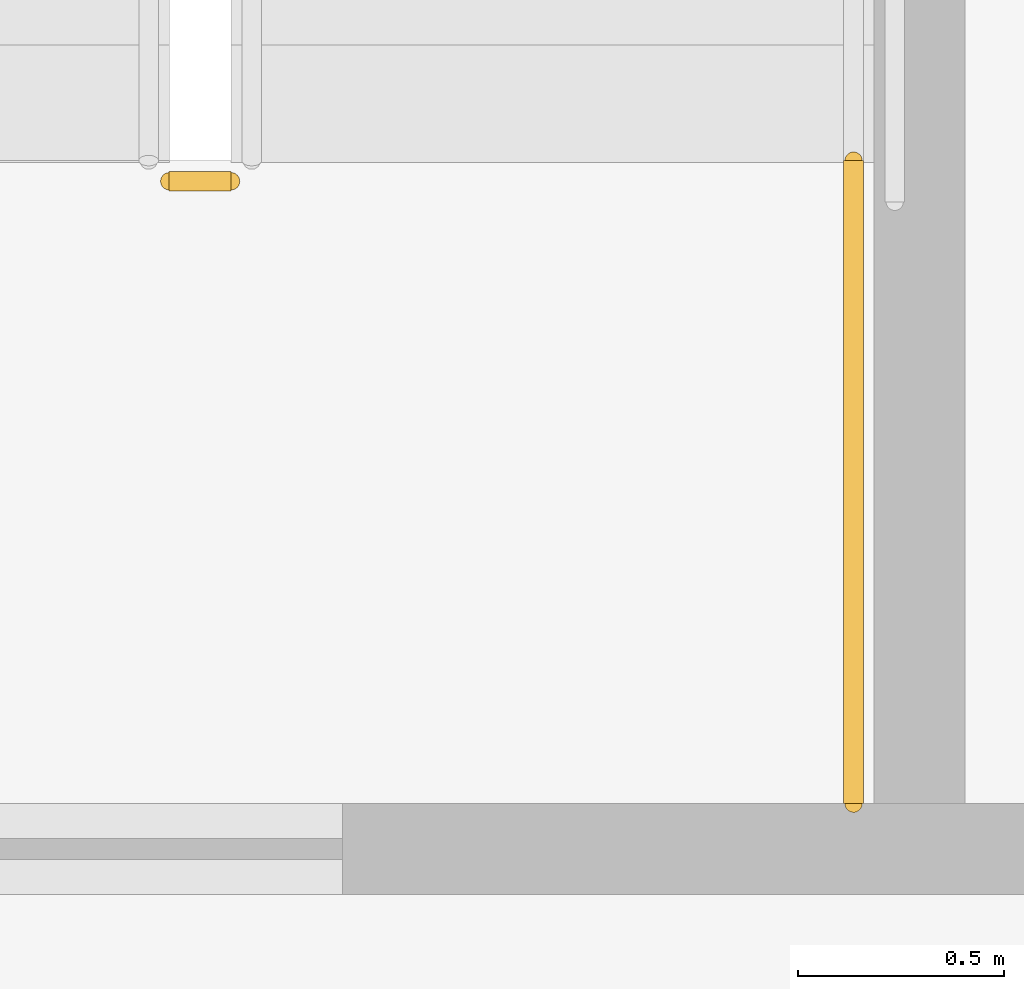
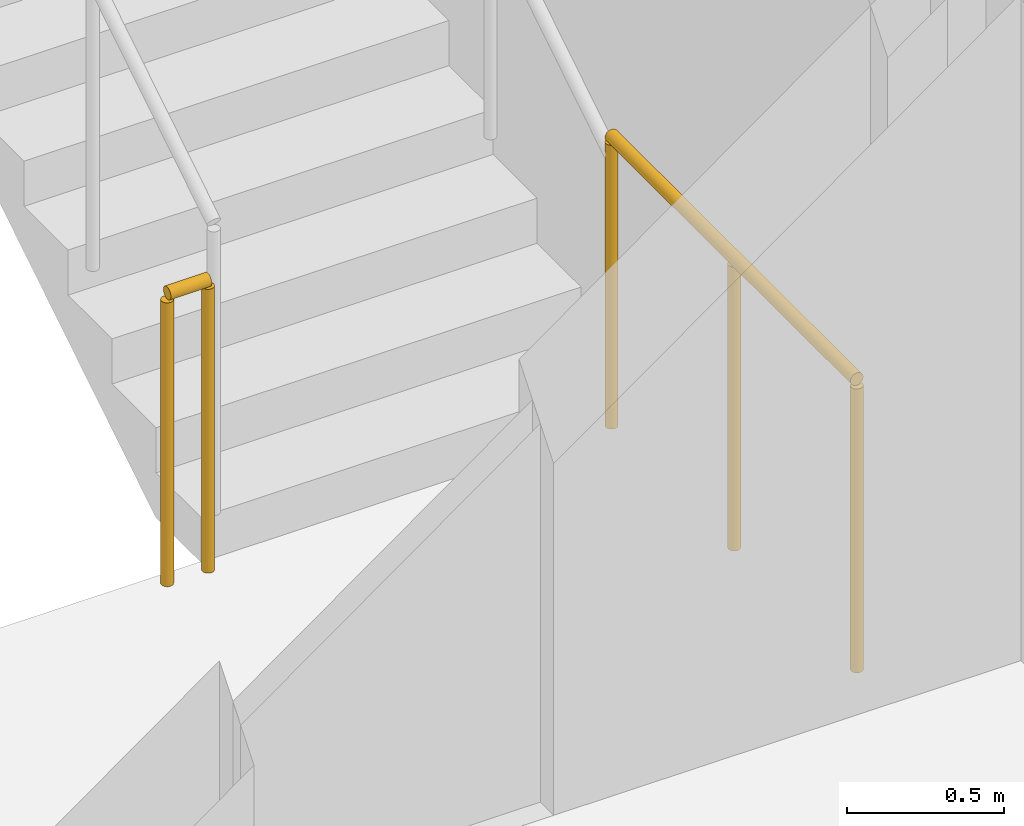
# One storey, part 12 of 15: 2 railings.
"""IFC4 building model written with IfcOpenShell, lengths in metres."""

from ifc_helpers import new_model, si_unit, direction, frame, origin, origin_2d, place, context, subcontext, project, spatial, circle, extrude, material, type_object, element, save


model = new_model("IFC4")

# Units and contexts
model_context = context("Model", 3, precision=1e-05, world=origin(), true_north=direction((0.0, 1.0)))
body_context = subcontext(model_context, "Body", "Model", "MODEL_VIEW")
ifc_project = project(units=[si_unit("LENGTHUNIT", "METRE"), si_unit("AREAUNIT", "SQUARE_METRE"), si_unit("VOLUMEUNIT", "CUBIC_METRE"), si_unit("PLANEANGLEUNIT", "RADIAN"), si_unit("MASSUNIT", "GRAM", prefix="KILO")], contexts=[model_context])

# Site, building, storey
site_placement = place(None, origin())
site = spatial("IfcSite", under=ifc_project, at=site_placement, CompositionType="ELEMENT")
building_placement = place(site_placement, origin())
building = spatial("IfcBuilding", under=site, at=building_placement, Name="Khairoan Windgate Tower", CompositionType="ELEMENT")
storey_placement = place(building_placement, frame((0.0, 0.0, 105.800048828125)))
storey = spatial("IfcBuildingStorey", under=building, at=storey_placement, Name="L24", CompositionType="ELEMENT", Elevation=105.800048828125)

# Railings
ifc_material = material(Name="Steel S355", Category="steel")
railing_type = type_object("IfcRailingType", Name="Stairwell Safety Guardrail SGR-1150", PredefinedType="GUARDRAIL", material=ifc_material)
railing_1_placement = place(storey_placement, frame((-17.7099609375, 2.909912109375, 0.0)))
element("IfcRailing", 1, at=railing_1_placement, inside=storey, type_object=railing_type, Name="L24 ST2 stair guard 7", PredefinedType="GUARDRAIL", context=body_context, shape_type="SweptSolid", body=[
    extrude(circle(Radius=0.02392578125, at=origin_2d()), frame((0.0, 0.0, 1.1259765625), z_axis=(-1.0, 0.0, 0.0), x_axis=(0.0, -1.0, 0.0)), (0.0, 0.0, 1.0), 0.150146484375),
    extrude(circle(Radius=0.02099609375, at=origin_2d()), origin(), (0.0, 0.0, 1.0), 1.101806640625),
    extrude(circle(Radius=0.02099609375, at=origin_2d()), frame((-0.150146484375, 0.0, 0.0)), (0.0, 0.0, 1.0), 1.101806640625),
])
railing_2_placement = place(storey_placement, frame((-16.199951171875, 1.39990234375, 0.0)))
element("IfcRailing", 2, at=railing_2_placement, inside=storey, type_object=railing_type, Name="L24 ST2 stair guard 8", PredefinedType="GUARDRAIL", context=body_context, shape_type="SweptSolid", body=[
    extrude(circle(Radius=0.02392578125, at=origin_2d()), frame((0.0, 0.0, 1.1259765625), z_axis=(0.0, 1.0, 0.0), x_axis=(-1.0, 0.0, 0.0)), (0.0, 0.0, 1.0), 1.56005859375),
    extrude(circle(Radius=0.02099609375, at=origin_2d()), origin(), (0.0, 0.0, 1.0), 1.101806640625),
    extrude(circle(Radius=0.02099609375, at=origin_2d()), frame((0.0, 0.780029296875, 0.0)), (0.0, 0.0, 1.0), 1.101806640625),
    extrude(circle(Radius=0.02099609375, at=origin_2d()), frame((0.0, 1.56005859375, 0.0)), (0.0, 0.0, 1.0), 1.101806640625),
])

save(model, "model.ifc")
